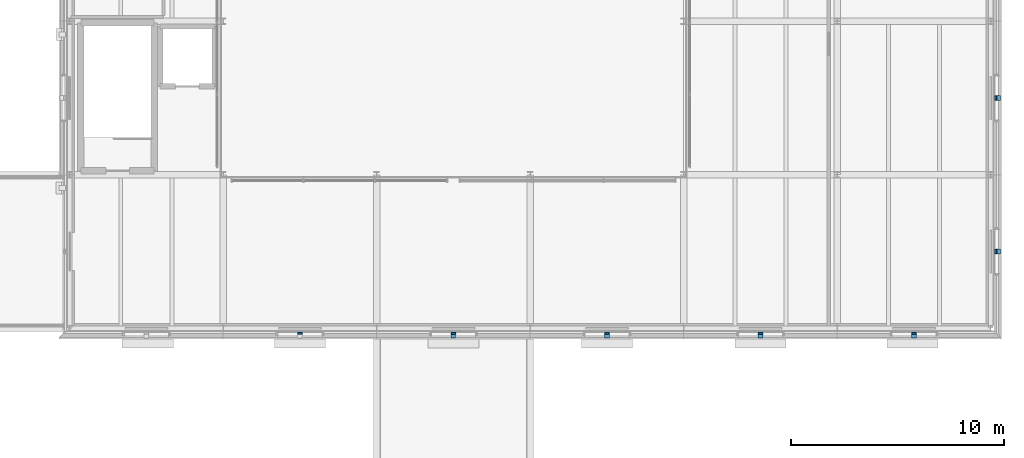
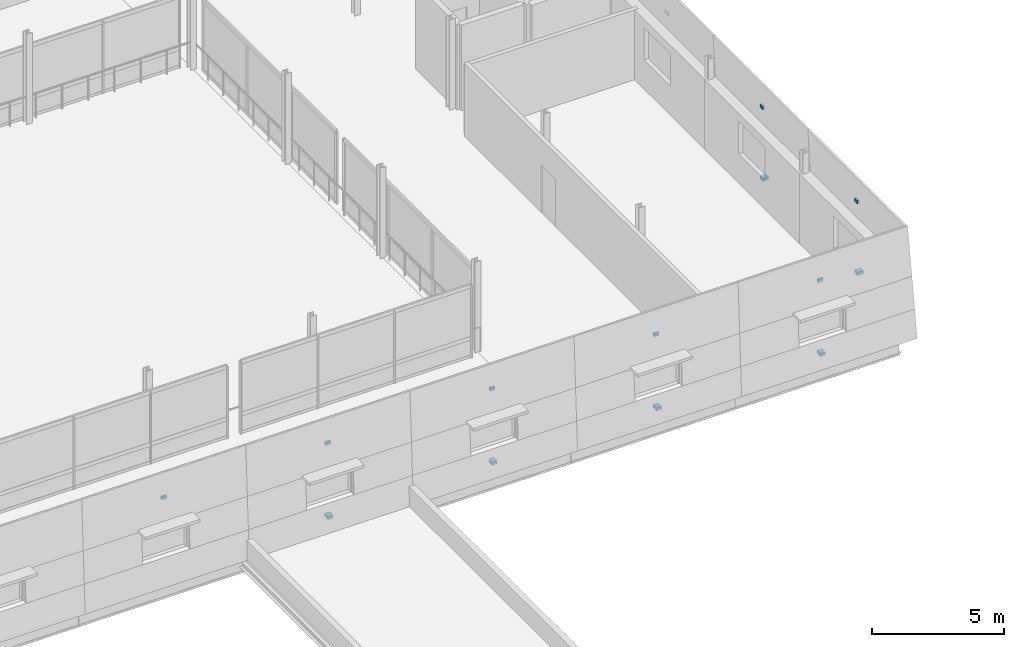
# One storey, part 89 of 115: 13 discrete accessories.
"""IFC4 building model written with IfcOpenShell, lengths in metres."""

from ifc_helpers import new_model, si_unit, direction, frame, origin, origin_2d, place, context, subcontext, project, spatial, rectangle, extrude, material, layer, layer_set, type_object, element, save


model = new_model("IFC4")

# Units and contexts
model_context = context("Model", 3, precision=1e-05, world=origin(), true_north=direction((0.0, 1.0)))
body_context = subcontext(model_context, "Body", "Model", "MODEL_VIEW")
ifc_project = project(units=[si_unit("LENGTHUNIT", "METRE"), si_unit("AREAUNIT", "SQUARE_METRE"), si_unit("VOLUMEUNIT", "CUBIC_METRE"), si_unit("PLANEANGLEUNIT", "RADIAN"), si_unit("MASSUNIT", "GRAM", prefix="KILO")], contexts=[model_context])

# Site, building, storey
site_placement = place(None, origin())
site = spatial("IfcSite", under=ifc_project, at=site_placement, CompositionType="ELEMENT")
building_placement = place(site_placement, origin())
building = spatial("IfcBuilding", under=site, at=building_placement, Name="Narikvali Park Central Library", CompositionType="ELEMENT")
storey_placement = place(building_placement, frame((0.0, 0.0, 10.199951171875)))
storey = spatial("IfcBuildingStorey", under=building, at=storey_placement, Name="L02", CompositionType="ELEMENT", Elevation=10.199951171875)

# Discrete accessories
ifc_material = material(Name="Brushed Stainless Steel S355", Category="steel")
ifc_layer = layer(ifc_material, 0.139892578125, Name="Brushed Stainless Steel S355")
ifc_layer_set = layer_set([ifc_layer], Name="Brushed Stainless Steel S355")
discrete_accessory_type = type_object("IfcDiscreteAccessoryType", Name="Cladding Stainless Tie-Back Corbel Bracket", PredefinedType="BRACKET", material=ifc_layer_set)
discrete_accessory_1_placement = place(storey_placement, frame((133.199951171875, 78.965087890625, 3.93017578125), z_axis=(0.0, 0.0, 1.0), x_axis=(1.0, 0.0, 0.0)))
element("IfcDiscreteAccessory", 1, at=discrete_accessory_1_placement, inside=storey, type_object=discrete_accessory_type, Name="Limestone Cladding Tie-Back Bracket V3-CLD-L02-S-B02-LN", PredefinedType="BRACKET", context=body_context, shape_type="SweptSolid", body=[
    extrude(rectangle(XDim=0.219970703125, YDim=0.08984375, at=origin_2d()), origin(), (0.0, 0.0, 1.0), 0.139892578125),
])
discrete_accessory_2_placement = place(storey_placement, frame((140.39990234375, 78.87841796875, 0.60498046875), z_axis=(0.0, 0.0, 1.0), x_axis=(1.0, 0.0, 0.0)))
element("IfcDiscreteAccessory", 2, at=discrete_accessory_2_placement, inside=storey, type_object=discrete_accessory_type, Name="Limestone Cladding Tie-Back Bracket V3-CLD-L02-S-B03-SP", PredefinedType="BRACKET", context=body_context, shape_type="SweptSolid", body=[
    extrude(rectangle(XDim=0.219970703125, YDim=0.26318359375, at=origin_2d()), origin(), (0.0, 0.0, 1.0), 0.139892578125),
])
discrete_accessory_3_placement = place(storey_placement, frame((140.39990234375, 78.965087890625, 3.93017578125), z_axis=(0.0, 0.0, 1.0), x_axis=(1.0, 0.0, 0.0)))
element("IfcDiscreteAccessory", 3, at=discrete_accessory_3_placement, inside=storey, type_object=discrete_accessory_type, Name="Limestone Cladding Tie-Back Bracket V3-CLD-L02-S-B03-LN", PredefinedType="BRACKET", context=body_context, shape_type="SweptSolid", body=[
    extrude(rectangle(XDim=0.219970703125, YDim=0.08984375, at=origin_2d()), origin(), (0.0, 0.0, 1.0), 0.139892578125),
])
discrete_accessory_4_placement = place(storey_placement, frame((147.60009765625, 78.87841796875, 0.60498046875), z_axis=(0.0, 0.0, 1.0), x_axis=(1.0, 0.0, 0.0)))
element("IfcDiscreteAccessory", 4, at=discrete_accessory_4_placement, inside=storey, type_object=discrete_accessory_type, Name="Limestone Cladding Tie-Back Bracket V3-CLD-L02-S-B04-SP", PredefinedType="BRACKET", context=body_context, shape_type="SweptSolid", body=[
    extrude(rectangle(XDim=0.219970703125, YDim=0.26318359375, at=origin_2d()), origin(), (0.0, 0.0, 1.0), 0.139892578125),
])
discrete_accessory_5_placement = place(storey_placement, frame((147.60009765625, 78.965087890625, 3.93017578125), z_axis=(0.0, 0.0, 1.0), x_axis=(1.0, 0.0, 0.0)))
element("IfcDiscreteAccessory", 5, at=discrete_accessory_5_placement, inside=storey, type_object=discrete_accessory_type, Name="Limestone Cladding Tie-Back Bracket V3-CLD-L02-S-B04-LN", PredefinedType="BRACKET", context=body_context, shape_type="SweptSolid", body=[
    extrude(rectangle(XDim=0.219970703125, YDim=0.08984375, at=origin_2d()), origin(), (0.0, 0.0, 1.0), 0.139892578125),
])
discrete_accessory_6_placement = place(storey_placement, frame((154.800048828125, 78.87841796875, 0.60498046875), z_axis=(0.0, 0.0, 1.0), x_axis=(1.0, 0.0, 0.0)))
element("IfcDiscreteAccessory", 6, at=discrete_accessory_6_placement, inside=storey, type_object=discrete_accessory_type, Name="Limestone Cladding Tie-Back Bracket V3-CLD-L02-S-B05-SP", PredefinedType="BRACKET", context=body_context, shape_type="SweptSolid", body=[
    extrude(rectangle(XDim=0.219970703125, YDim=0.26318359375, at=origin_2d()), origin(), (0.0, 0.0, 1.0), 0.139892578125),
])
discrete_accessory_7_placement = place(storey_placement, frame((154.800048828125, 78.965087890625, 3.93017578125), z_axis=(0.0, 0.0, 1.0), x_axis=(1.0, 0.0, 0.0)))
element("IfcDiscreteAccessory", 7, at=discrete_accessory_7_placement, inside=storey, type_object=discrete_accessory_type, Name="Limestone Cladding Tie-Back Bracket V3-CLD-L02-S-B05-LN", PredefinedType="BRACKET", context=body_context, shape_type="SweptSolid", body=[
    extrude(rectangle(XDim=0.219970703125, YDim=0.08984375, at=origin_2d()), origin(), (0.0, 0.0, 1.0), 0.139892578125),
])
discrete_accessory_8_placement = place(storey_placement, frame((162.0, 78.87841796875, 0.60498046875), z_axis=(0.0, 0.0, 1.0), x_axis=(1.0, 0.0, 0.0)))
element("IfcDiscreteAccessory", 8, at=discrete_accessory_8_placement, inside=storey, type_object=discrete_accessory_type, Name="Limestone Cladding Tie-Back Bracket V3-CLD-L02-S-B06-SP", PredefinedType="BRACKET", context=body_context, shape_type="SweptSolid", body=[
    extrude(rectangle(XDim=0.219970703125, YDim=0.26318359375, at=origin_2d()), origin(), (0.0, 0.0, 1.0), 0.139892578125),
])
discrete_accessory_9_placement = place(storey_placement, frame((162.0, 78.965087890625, 3.93017578125), z_axis=(0.0, 0.0, 1.0), x_axis=(1.0, 0.0, 0.0)))
element("IfcDiscreteAccessory", 9, at=discrete_accessory_9_placement, inside=storey, type_object=discrete_accessory_type, Name="Limestone Cladding Tie-Back Bracket V3-CLD-L02-S-B06-LN", PredefinedType="BRACKET", context=body_context, shape_type="SweptSolid", body=[
    extrude(rectangle(XDim=0.219970703125, YDim=0.08984375, at=origin_2d()), origin(), (0.0, 0.0, 1.0), 0.139892578125),
])
discrete_accessory_10_placement = place(storey_placement, frame((165.921630859375, 82.800048828125, 0.60498046875), z_axis=(0.0, 0.0, 1.0), x_axis=(1.0, 0.0, 0.0)))
element("IfcDiscreteAccessory", 10, at=discrete_accessory_10_placement, inside=storey, type_object=discrete_accessory_type, Name="Limestone Cladding Tie-Back Bracket V3-CLD-L02-E-B01-SP", PredefinedType="BRACKET", context=body_context, shape_type="SweptSolid", body=[
    extrude(rectangle(XDim=0.26318359375, YDim=0.219970703125, at=origin_2d()), origin(), (0.0, 0.0, 1.0), 0.139892578125),
])
discrete_accessory_11_placement = place(storey_placement, frame((165.8349609375, 82.800048828125, 3.93017578125), z_axis=(0.0, 0.0, 1.0), x_axis=(1.0, 0.0, 0.0)))
element("IfcDiscreteAccessory", 11, at=discrete_accessory_11_placement, inside=storey, type_object=discrete_accessory_type, Name="Limestone Cladding Tie-Back Bracket V3-CLD-L02-E-B01-LN", PredefinedType="BRACKET", context=body_context, shape_type="SweptSolid", body=[
    extrude(rectangle(XDim=0.08984375, YDim=0.219970703125, at=origin_2d()), origin(), (0.0, 0.0, 1.0), 0.139892578125),
])
discrete_accessory_12_placement = place(storey_placement, frame((165.921630859375, 90.0, 0.60498046875), z_axis=(0.0, 0.0, 1.0), x_axis=(1.0, 0.0, 0.0)))
element("IfcDiscreteAccessory", 12, at=discrete_accessory_12_placement, inside=storey, type_object=discrete_accessory_type, Name="Limestone Cladding Tie-Back Bracket V3-CLD-L02-E-B02-SP", PredefinedType="BRACKET", context=body_context, shape_type="SweptSolid", body=[
    extrude(rectangle(XDim=0.26318359375, YDim=0.219970703125, at=origin_2d()), origin(), (0.0, 0.0, 1.0), 0.139892578125),
])
discrete_accessory_13_placement = place(storey_placement, frame((165.8349609375, 90.0, 3.93017578125), z_axis=(0.0, 0.0, 1.0), x_axis=(1.0, 0.0, 0.0)))
element("IfcDiscreteAccessory", 13, at=discrete_accessory_13_placement, inside=storey, type_object=discrete_accessory_type, Name="Limestone Cladding Tie-Back Bracket V3-CLD-L02-E-B02-LN", PredefinedType="BRACKET", context=body_context, shape_type="SweptSolid", body=[
    extrude(rectangle(XDim=0.08984375, YDim=0.219970703125, at=origin_2d()), origin(), (0.0, 0.0, 1.0), 0.139892578125),
])

save(model, "model.ifc")
